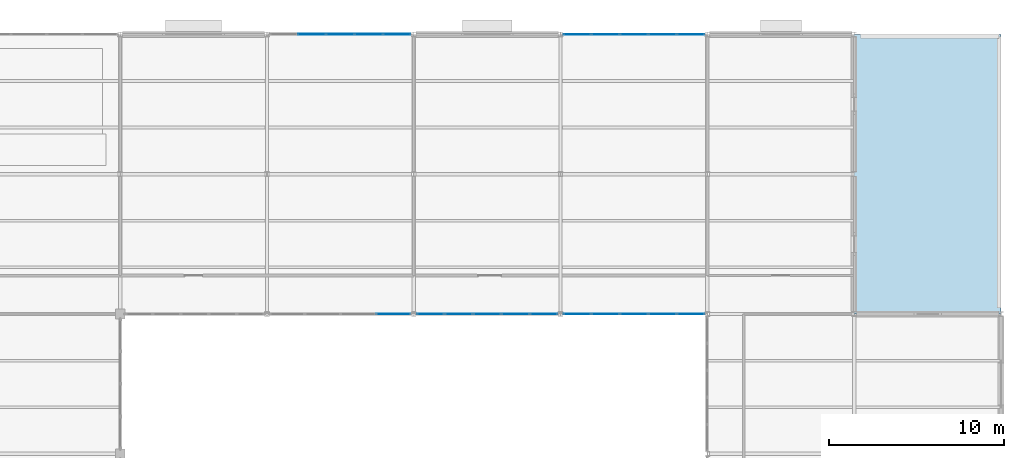
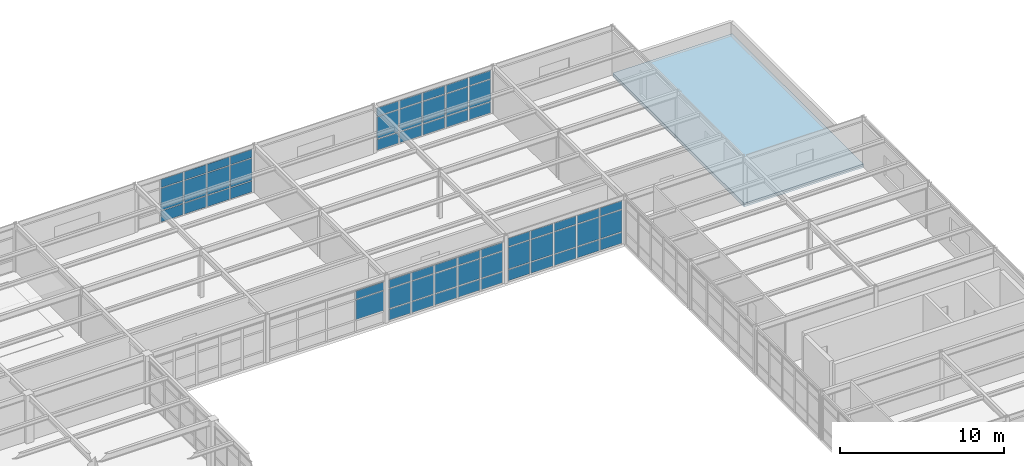
# One storey, part 39 of 53: 59 plates, 1 slab, 5 elements without a shape of their own.
"""IFC4 building model written with IfcOpenShell, lengths in metres."""

from ifc_helpers import new_model, si_unit, direction, frame, origin, origin_2d, place, context, subcontext, project, spatial, polyline, rectangle, outline, extrude, material, layer, layer_set, type_object, element, aggregate, save


model = new_model("IFC4")

# Units and contexts
model_context = context("Model", 3, precision=1e-05, world=origin(), true_north=direction((0.0, 1.0)))
body_context = subcontext(model_context, "Body", "Model", "MODEL_VIEW")
ifc_project = project(units=[si_unit("LENGTHUNIT", "METRE"), si_unit("AREAUNIT", "SQUARE_METRE"), si_unit("VOLUMEUNIT", "CUBIC_METRE"), si_unit("PLANEANGLEUNIT", "RADIAN"), si_unit("MASSUNIT", "GRAM", prefix="KILO")], contexts=[model_context])

# Site, building, storey
site_placement = place(None, origin())
site = spatial("IfcSite", under=ifc_project, at=site_placement, CompositionType="ELEMENT")
building_placement = place(site_placement, origin())
building = spatial("IfcBuilding", under=site, at=building_placement, Name="Kranzveld Transit Interchange", CompositionType="ELEMENT")
storey_placement = place(building_placement, frame((0.0, 0.0, 13.360107421875)))
storey = spatial("IfcBuildingStorey", under=building, at=storey_placement, Name="L03", CompositionType="ELEMENT", Elevation=13.360107421875)

# Curtain wall, plates
ifc_material_1 = material(Name="Bronze-anodised thermally broken aluminium", Category="aluminium")
ifc_layer_1 = layer(ifc_material_1, 0.1650390625)
ifc_layer_set_1 = layer_set([ifc_layer_1], Name="Bronze-anodised thermally broken aluminium")
curtain_wall_type_1 = type_object("IfcCurtainWallType", Name="Sunny Court Arcade Curtain Wall CW-2", PredefinedType="USERDEFINED", material=ifc_layer_set_1)
curtain_wall_1_placement = place(storey_placement, origin())
curtain_wall_1 = element("IfcCurtainWall", 1, at=curtain_wall_1_placement, inside=storey, type_object=curtain_wall_type_1, Name="L03 Curtain Wall 18/N-19/N", ObjectType="CURTAIN WALL", PredefinedType="USERDEFINED")
ifc_material_2 = material(Name="Solar-control double glazing", Category="glass")
ifc_layer_2 = layer(ifc_material_2, 0.02392578125)
ifc_layer_set_2 = layer_set([ifc_layer_2], Name="Solar-control double glazing")
plate_type_1 = type_object("IfcPlateType", Name="Curtain Panel Clear Glazing 24", PredefinedType="CURTAIN_PANEL", material=ifc_layer_set_2)
plate_1_placement = place(storey_placement, frame((143.7587890625, 96.0, 0.059814453125), z_axis=(0.0, 0.0, 1.0), x_axis=(1.0, 0.0, 0.0)))
plate_1 = element("IfcPlate", 2, at=plate_1_placement, type_object=plate_type_1, Name="CW-2 panel 1.1", PredefinedType="CURTAIN_PANEL", context=body_context, shape_type="SweptSolid", body=[
    extrude(rectangle(XDim=1.53125, YDim=0.02392578125, at=origin_2d()), origin(), (0.0, 0.0, 1.0), 0.81005859375),
])
plate_2_placement = place(storey_placement, frame((143.7587890625, 96.0, 0.929931640625), z_axis=(0.0, 0.0, 1.0), x_axis=(1.0, 0.0, 0.0)))
plate_2 = element("IfcPlate", 3, at=plate_2_placement, type_object=plate_type_1, Name="CW-2 panel 1.2", PredefinedType="CURTAIN_PANEL", context=body_context, shape_type="SweptSolid", body=[
    extrude(rectangle(XDim=1.53125, YDim=0.02392578125, at=origin_2d()), origin(), (0.0, 0.0, 1.0), 1.6201171875),
])
plate_3_placement = place(storey_placement, frame((143.7587890625, 96.0, 2.60986328125), z_axis=(0.0, 0.0, 1.0), x_axis=(1.0, 0.0, 0.0)))
plate_3 = element("IfcPlate", 4, at=plate_3_placement, type_object=plate_type_1, Name="CW-2 panel 1.3", PredefinedType="CURTAIN_PANEL", context=body_context, shape_type="SweptSolid", body=[
    extrude(rectangle(XDim=1.53125, YDim=0.02392578125, at=origin_2d()), origin(), (0.0, 0.0, 1.0), 0.610107421875),
])
plate_4_placement = place(storey_placement, frame((145.371337890625, 96.0, 0.059814453125), z_axis=(0.0, 0.0, 1.0), x_axis=(1.0, 0.0, 0.0)))
plate_4 = element("IfcPlate", 5, at=plate_4_placement, type_object=plate_type_1, Name="CW-2 panel 2.1", PredefinedType="CURTAIN_PANEL", context=body_context, shape_type="SweptSolid", body=[
    extrude(rectangle(XDim=1.563720703125, YDim=0.02392578125, at=origin_2d()), origin(), (0.0, 0.0, 1.0), 0.81005859375),
])
plate_5_placement = place(storey_placement, frame((145.371337890625, 96.0, 0.929931640625), z_axis=(0.0, 0.0, 1.0), x_axis=(1.0, 0.0, 0.0)))
plate_5 = element("IfcPlate", 6, at=plate_5_placement, type_object=plate_type_1, Name="CW-2 panel 2.2", PredefinedType="CURTAIN_PANEL", context=body_context, shape_type="SweptSolid", body=[
    extrude(rectangle(XDim=1.563720703125, YDim=0.02392578125, at=origin_2d()), origin(), (0.0, 0.0, 1.0), 1.6201171875),
])
plate_6_placement = place(storey_placement, frame((145.371337890625, 96.0, 2.60986328125), z_axis=(0.0, 0.0, 1.0), x_axis=(1.0, 0.0, 0.0)))
plate_6 = element("IfcPlate", 7, at=plate_6_placement, type_object=plate_type_1, Name="CW-2 panel 2.3", PredefinedType="CURTAIN_PANEL", context=body_context, shape_type="SweptSolid", body=[
    extrude(rectangle(XDim=1.563720703125, YDim=0.02392578125, at=origin_2d()), origin(), (0.0, 0.0, 1.0), 0.610107421875),
])
plate_7_placement = place(storey_placement, frame((147.0, 96.0, 0.059814453125), z_axis=(0.0, 0.0, 1.0), x_axis=(1.0, 0.0, 0.0)))
plate_7 = element("IfcPlate", 8, at=plate_7_placement, type_object=plate_type_1, Name="CW-2 panel 3.1", PredefinedType="CURTAIN_PANEL", context=body_context, shape_type="SweptSolid", body=[
    extrude(rectangle(XDim=1.563720703125, YDim=0.02392578125, at=origin_2d()), origin(), (0.0, 0.0, 1.0), 0.81005859375),
])
plate_8_placement = place(storey_placement, frame((147.0, 96.0, 0.929931640625), z_axis=(0.0, 0.0, 1.0), x_axis=(1.0, 0.0, 0.0)))
plate_8 = element("IfcPlate", 9, at=plate_8_placement, type_object=plate_type_1, Name="CW-2 panel 3.2", PredefinedType="CURTAIN_PANEL", context=body_context, shape_type="SweptSolid", body=[
    extrude(rectangle(XDim=1.563720703125, YDim=0.02392578125, at=origin_2d()), origin(), (0.0, 0.0, 1.0), 1.6201171875),
])
plate_9_placement = place(storey_placement, frame((147.0, 96.0, 2.60986328125), z_axis=(0.0, 0.0, 1.0), x_axis=(1.0, 0.0, 0.0)))
plate_9 = element("IfcPlate", 10, at=plate_9_placement, type_object=plate_type_1, Name="CW-2 panel 3.3", PredefinedType="CURTAIN_PANEL", context=body_context, shape_type="SweptSolid", body=[
    extrude(rectangle(XDim=1.563720703125, YDim=0.02392578125, at=origin_2d()), origin(), (0.0, 0.0, 1.0), 0.610107421875),
])
plate_10_placement = place(storey_placement, frame((148.628662109375, 96.0, 0.059814453125), z_axis=(0.0, 0.0, 1.0), x_axis=(1.0, 0.0, 0.0)))
plate_10 = element("IfcPlate", 11, at=plate_10_placement, type_object=plate_type_1, Name="CW-2 panel 4.1", PredefinedType="CURTAIN_PANEL", context=body_context, shape_type="SweptSolid", body=[
    extrude(rectangle(XDim=1.563720703125, YDim=0.02392578125, at=origin_2d()), origin(), (0.0, 0.0, 1.0), 0.81005859375),
])
plate_11_placement = place(storey_placement, frame((148.628662109375, 96.0, 0.929931640625), z_axis=(0.0, 0.0, 1.0), x_axis=(1.0, 0.0, 0.0)))
plate_11 = element("IfcPlate", 12, at=plate_11_placement, type_object=plate_type_1, Name="CW-2 panel 4.2", PredefinedType="CURTAIN_PANEL", context=body_context, shape_type="SweptSolid", body=[
    extrude(rectangle(XDim=1.563720703125, YDim=0.02392578125, at=origin_2d()), origin(), (0.0, 0.0, 1.0), 1.6201171875),
])
plate_12_placement = place(storey_placement, frame((148.628662109375, 96.0, 2.60986328125), z_axis=(0.0, 0.0, 1.0), x_axis=(1.0, 0.0, 0.0)))
plate_12 = element("IfcPlate", 13, at=plate_12_placement, type_object=plate_type_1, Name="CW-2 panel 4.3", PredefinedType="CURTAIN_PANEL", context=body_context, shape_type="SweptSolid", body=[
    extrude(rectangle(XDim=1.563720703125, YDim=0.02392578125, at=origin_2d()), origin(), (0.0, 0.0, 1.0), 0.610107421875),
])
plate_13_placement = place(storey_placement, frame((150.2412109375, 96.0, 0.059814453125), z_axis=(0.0, 0.0, 1.0), x_axis=(1.0, 0.0, 0.0)))
plate_13 = element("IfcPlate", 14, at=plate_13_placement, type_object=plate_type_1, Name="CW-2 panel 5.1", PredefinedType="CURTAIN_PANEL", context=body_context, shape_type="SweptSolid", body=[
    extrude(rectangle(XDim=1.53125, YDim=0.02392578125, at=origin_2d()), origin(), (0.0, 0.0, 1.0), 0.81005859375),
])
plate_14_placement = place(storey_placement, frame((150.2412109375, 96.0, 0.929931640625), z_axis=(0.0, 0.0, 1.0), x_axis=(1.0, 0.0, 0.0)))
plate_14 = element("IfcPlate", 15, at=plate_14_placement, type_object=plate_type_1, Name="CW-2 panel 5.2", PredefinedType="CURTAIN_PANEL", context=body_context, shape_type="SweptSolid", body=[
    extrude(rectangle(XDim=1.53125, YDim=0.02392578125, at=origin_2d()), origin(), (0.0, 0.0, 1.0), 1.6201171875),
])
plate_15_placement = place(storey_placement, frame((150.2412109375, 96.0, 2.60986328125), z_axis=(0.0, 0.0, 1.0), x_axis=(1.0, 0.0, 0.0)))
plate_15 = element("IfcPlate", 16, at=plate_15_placement, type_object=plate_type_1, Name="CW-2 panel 5.3", PredefinedType="CURTAIN_PANEL", context=body_context, shape_type="SweptSolid", body=[
    extrude(rectangle(XDim=1.53125, YDim=0.02392578125, at=origin_2d()), origin(), (0.0, 0.0, 1.0), 0.610107421875),
])
aggregate(curtain_wall_1, [plate_1, plate_2, plate_3, plate_4, plate_5, plate_6, plate_7, plate_8, plate_9, plate_10, plate_11, plate_12, plate_13, plate_14, plate_15])

ifc_material_3 = material(Name="Bronze-anodised thermally broken aluminium", Category="aluminium")
ifc_layer_3 = layer(ifc_material_3, 0.179931640625)
ifc_layer_set_3 = layer_set([ifc_layer_3], Name="Bronze-anodised thermally broken aluminium")
curtain_wall_type_2 = type_object("IfcCurtainWallType", Name="Concourse Unitised Curtain Wall CW-1", PredefinedType="USERDEFINED", material=ifc_layer_set_3)
curtain_wall_2_placement = place(storey_placement, origin())
curtain_wall_2 = element("IfcCurtainWall", 17, at=curtain_wall_2_placement, inside=storey, type_object=curtain_wall_type_2, Name="L03 Curtain Wall 17/N-18/N", ObjectType="CURTAIN WALL", PredefinedType="USERDEFINED")
ifc_material_4 = material(Name="Solar-control double glazing", Category="glass")
ifc_layer_4 = layer(ifc_material_4, 0.028076171875)
ifc_layer_set_4 = layer_set([ifc_layer_4], Name="Solar-control double glazing")
plate_type_2 = type_object("IfcPlateType", Name="Curtain Panel Double Glazing 28", PredefinedType="CURTAIN_PANEL", material=ifc_layer_set_4)
plate_16_placement = place(storey_placement, frame((135.358642578125, 96.0, 0.06494140625), z_axis=(0.0, 0.0, 1.0), x_axis=(1.0, 0.0, 0.0)))
plate_16 = element("IfcPlate", 18, at=plate_16_placement, type_object=plate_type_2, Name="CW-1 panel 1.1", PredefinedType="CURTAIN_PANEL", context=body_context, shape_type="SweptSolid", body=[
    extrude(rectangle(XDim=1.53125, YDim=0.028076171875, at=origin_2d()), origin(), (0.0, 0.0, 1.0), 0.802490234375),
])
plate_17_placement = place(storey_placement, frame((135.358642578125, 96.0, 0.932373046875), z_axis=(0.0, 0.0, 1.0), x_axis=(1.0, 0.0, 0.0)))
plate_17 = element("IfcPlate", 19, at=plate_17_placement, type_object=plate_type_2, Name="CW-1 panel 1.2", PredefinedType="CURTAIN_PANEL", context=body_context, shape_type="SweptSolid", body=[
    extrude(rectangle(XDim=1.53125, YDim=0.028076171875, at=origin_2d()), origin(), (0.0, 0.0, 1.0), 1.4580078125),
])
plate_18_placement = place(storey_placement, frame((135.358642578125, 96.0, 2.455322265625), z_axis=(0.0, 0.0, 1.0), x_axis=(1.0, 0.0, 0.0)))
plate_18 = element("IfcPlate", 20, at=plate_18_placement, type_object=plate_type_2, Name="CW-1 panel 1.3", PredefinedType="CURTAIN_PANEL", context=body_context, shape_type="SweptSolid", body=[
    extrude(rectangle(XDim=1.53125, YDim=0.028076171875, at=origin_2d()), origin(), (0.0, 0.0, 1.0), 0.6025390625),
])
plate_19_placement = place(storey_placement, frame((136.97119140625, 96.0, 0.06494140625), z_axis=(0.0, 0.0, 1.0), x_axis=(1.0, 0.0, 0.0)))
plate_19 = element("IfcPlate", 21, at=plate_19_placement, type_object=plate_type_2, Name="CW-1 panel 2.1", PredefinedType="CURTAIN_PANEL", context=body_context, shape_type="SweptSolid", body=[
    extrude(rectangle(XDim=1.563720703125, YDim=0.028076171875, at=origin_2d()), origin(), (0.0, 0.0, 1.0), 0.802490234375),
])
plate_20_placement = place(storey_placement, frame((136.97119140625, 96.0, 0.932373046875), z_axis=(0.0, 0.0, 1.0), x_axis=(1.0, 0.0, 0.0)))
plate_20 = element("IfcPlate", 22, at=plate_20_placement, type_object=plate_type_2, Name="CW-1 panel 2.2", PredefinedType="CURTAIN_PANEL", context=body_context, shape_type="SweptSolid", body=[
    extrude(rectangle(XDim=1.563720703125, YDim=0.028076171875, at=origin_2d()), origin(), (0.0, 0.0, 1.0), 1.4580078125),
])
plate_21_placement = place(storey_placement, frame((136.97119140625, 96.0, 2.455322265625), z_axis=(0.0, 0.0, 1.0), x_axis=(1.0, 0.0, 0.0)))
plate_21 = element("IfcPlate", 23, at=plate_21_placement, type_object=plate_type_2, Name="CW-1 panel 2.3", PredefinedType="CURTAIN_PANEL", context=body_context, shape_type="SweptSolid", body=[
    extrude(rectangle(XDim=1.563720703125, YDim=0.028076171875, at=origin_2d()), origin(), (0.0, 0.0, 1.0), 0.6025390625),
])
plate_22_placement = place(storey_placement, frame((138.60009765625, 96.0, 0.06494140625), z_axis=(0.0, 0.0, 1.0), x_axis=(1.0, 0.0, 0.0)))
plate_22 = element("IfcPlate", 24, at=plate_22_placement, type_object=plate_type_2, Name="CW-1 panel 3.1", PredefinedType="CURTAIN_PANEL", context=body_context, shape_type="SweptSolid", body=[
    extrude(rectangle(XDim=1.563720703125, YDim=0.028076171875, at=origin_2d()), origin(), (0.0, 0.0, 1.0), 0.802490234375),
])
plate_23_placement = place(storey_placement, frame((138.60009765625, 96.0, 0.932373046875), z_axis=(0.0, 0.0, 1.0), x_axis=(1.0, 0.0, 0.0)))
plate_23 = element("IfcPlate", 25, at=plate_23_placement, type_object=plate_type_2, Name="CW-1 panel 3.2", PredefinedType="CURTAIN_PANEL", context=body_context, shape_type="SweptSolid", body=[
    extrude(rectangle(XDim=1.563720703125, YDim=0.028076171875, at=origin_2d()), origin(), (0.0, 0.0, 1.0), 1.4580078125),
])
plate_24_placement = place(storey_placement, frame((138.60009765625, 96.0, 2.455322265625), z_axis=(0.0, 0.0, 1.0), x_axis=(1.0, 0.0, 0.0)))
plate_24 = element("IfcPlate", 26, at=plate_24_placement, type_object=plate_type_2, Name="CW-1 panel 3.3", PredefinedType="CURTAIN_PANEL", context=body_context, shape_type="SweptSolid", body=[
    extrude(rectangle(XDim=1.563720703125, YDim=0.028076171875, at=origin_2d()), origin(), (0.0, 0.0, 1.0), 0.6025390625),
])
plate_25_placement = place(storey_placement, frame((140.228759765625, 96.0, 0.06494140625), z_axis=(0.0, 0.0, 1.0), x_axis=(1.0, 0.0, 0.0)))
plate_25 = element("IfcPlate", 27, at=plate_25_placement, type_object=plate_type_2, Name="CW-1 panel 4.1", PredefinedType="CURTAIN_PANEL", context=body_context, shape_type="SweptSolid", body=[
    extrude(rectangle(XDim=1.563720703125, YDim=0.028076171875, at=origin_2d()), origin(), (0.0, 0.0, 1.0), 0.802490234375),
])
plate_26_placement = place(storey_placement, frame((140.228759765625, 96.0, 0.932373046875), z_axis=(0.0, 0.0, 1.0), x_axis=(1.0, 0.0, 0.0)))
plate_26 = element("IfcPlate", 28, at=plate_26_placement, type_object=plate_type_2, Name="CW-1 panel 4.2", PredefinedType="CURTAIN_PANEL", context=body_context, shape_type="SweptSolid", body=[
    extrude(rectangle(XDim=1.563720703125, YDim=0.028076171875, at=origin_2d()), origin(), (0.0, 0.0, 1.0), 1.4580078125),
])
plate_27_placement = place(storey_placement, frame((140.228759765625, 96.0, 2.455322265625), z_axis=(0.0, 0.0, 1.0), x_axis=(1.0, 0.0, 0.0)))
plate_27 = element("IfcPlate", 29, at=plate_27_placement, type_object=plate_type_2, Name="CW-1 panel 4.3", PredefinedType="CURTAIN_PANEL", context=body_context, shape_type="SweptSolid", body=[
    extrude(rectangle(XDim=1.563720703125, YDim=0.028076171875, at=origin_2d()), origin(), (0.0, 0.0, 1.0), 0.6025390625),
])
plate_28_placement = place(storey_placement, frame((141.84130859375, 96.0, 0.06494140625), z_axis=(0.0, 0.0, 1.0), x_axis=(1.0, 0.0, 0.0)))
plate_28 = element("IfcPlate", 30, at=plate_28_placement, type_object=plate_type_2, Name="CW-1 panel 5.1", PredefinedType="CURTAIN_PANEL", context=body_context, shape_type="SweptSolid", body=[
    extrude(rectangle(XDim=1.53125, YDim=0.028076171875, at=origin_2d()), origin(), (0.0, 0.0, 1.0), 0.802490234375),
])
plate_29_placement = place(storey_placement, frame((141.84130859375, 96.0, 0.932373046875), z_axis=(0.0, 0.0, 1.0), x_axis=(1.0, 0.0, 0.0)))
plate_29 = element("IfcPlate", 31, at=plate_29_placement, type_object=plate_type_2, Name="CW-1 panel 5.2", PredefinedType="CURTAIN_PANEL", context=body_context, shape_type="SweptSolid", body=[
    extrude(rectangle(XDim=1.53125, YDim=0.028076171875, at=origin_2d()), origin(), (0.0, 0.0, 1.0), 1.4580078125),
])
plate_30_placement = place(storey_placement, frame((141.84130859375, 96.0, 2.455322265625), z_axis=(0.0, 0.0, 1.0), x_axis=(1.0, 0.0, 0.0)))
plate_30 = element("IfcPlate", 32, at=plate_30_placement, type_object=plate_type_2, Name="CW-1 panel 5.3", PredefinedType="CURTAIN_PANEL", context=body_context, shape_type="SweptSolid", body=[
    extrude(rectangle(XDim=1.53125, YDim=0.028076171875, at=origin_2d()), origin(), (0.0, 0.0, 1.0), 0.6025390625),
])
aggregate(curtain_wall_2, [plate_16, plate_17, plate_18, plate_19, plate_20, plate_21, plate_22, plate_23, plate_24, plate_25, plate_26, plate_27, plate_28, plate_29, plate_30])

ifc_material_5 = material(Name="Bronze-anodised thermally broken aluminium", Category="aluminium")
ifc_layer_5 = layer(ifc_material_5, 0.14990234375)
ifc_layer_set_5 = layer_set([ifc_layer_5], Name="Bronze-anodised thermally broken aluminium")
curtain_wall_type_3 = type_object("IfcCurtainWallType", Name="Public Passage Clerestory Screen CW-4", PredefinedType="USERDEFINED", material=ifc_layer_set_5)
curtain_wall_3_placement = place(storey_placement, origin())
curtain_wall_3 = element("IfcCurtainWall", 33, at=curtain_wall_3_placement, inside=storey, type_object=curtain_wall_type_3, Name="L03 Curtain Wall 16/Q-17/Q", ObjectType="CURTAIN WALL", PredefinedType="USERDEFINED")
ifc_material_6 = material(Name="Solar-control double glazing", Category="glass")
ifc_layer_6 = layer(ifc_material_6, 0.0419921875)
ifc_layer_set_6 = layer_set([ifc_layer_6], Name="Solar-control double glazing")
plate_type_3 = type_object("IfcPlateType", Name="Curtain Panel Laminated Glazing 42", PredefinedType="CURTAIN_PANEL", material=ifc_layer_set_6)
plate_31_placement = place(storey_placement, frame((128.5712890625, 112.0, 0.059814453125), z_axis=(0.0, 0.0, 1.0), x_axis=(1.0, 0.0, 0.0)))
plate_31 = element("IfcPlate", 34, at=plate_31_placement, type_object=plate_type_3, Name="CW-4 panel 2.1", PredefinedType="CURTAIN_PANEL", context=body_context, shape_type="SweptSolid", body=[
    extrude(rectangle(XDim=1.56884765625, YDim=0.0419921875, at=origin_2d()), origin(), (0.0, 0.0, 1.0), 0.81005859375),
])
plate_32_placement = place(storey_placement, frame((128.5712890625, 112.0, 0.929931640625), z_axis=(0.0, 0.0, 1.0), x_axis=(1.0, 0.0, 0.0)))
plate_32 = element("IfcPlate", 35, at=plate_32_placement, type_object=plate_type_3, Name="CW-4 panel 2.2", PredefinedType="CURTAIN_PANEL", context=body_context, shape_type="SweptSolid", body=[
    extrude(rectangle(XDim=1.56884765625, YDim=0.0419921875, at=origin_2d()), origin(), (0.0, 0.0, 1.0), 1.6201171875),
])
plate_33_placement = place(storey_placement, frame((128.5712890625, 112.0, 2.60986328125), z_axis=(0.0, 0.0, 1.0), x_axis=(1.0, 0.0, 0.0)))
plate_33 = element("IfcPlate", 36, at=plate_33_placement, type_object=plate_type_3, Name="CW-4 panel 2.3", PredefinedType="CURTAIN_PANEL", context=body_context, shape_type="SweptSolid", body=[
    extrude(rectangle(XDim=1.56884765625, YDim=0.0419921875, at=origin_2d()), origin(), (0.0, 0.0, 1.0), 0.610107421875),
])
plate_34_placement = place(storey_placement, frame((130.199951171875, 112.0, 0.059814453125), z_axis=(0.0, 0.0, 1.0), x_axis=(1.0, 0.0, 0.0)))
plate_34 = element("IfcPlate", 37, at=plate_34_placement, type_object=plate_type_3, Name="CW-4 panel 3.1", PredefinedType="CURTAIN_PANEL", context=body_context, shape_type="SweptSolid", body=[
    extrude(rectangle(XDim=1.56884765625, YDim=0.0419921875, at=origin_2d()), origin(), (0.0, 0.0, 1.0), 0.81005859375),
])
plate_35_placement = place(storey_placement, frame((130.199951171875, 112.0, 0.929931640625), z_axis=(0.0, 0.0, 1.0), x_axis=(1.0, 0.0, 0.0)))
plate_35 = element("IfcPlate", 38, at=plate_35_placement, type_object=plate_type_3, Name="CW-4 panel 3.2", PredefinedType="CURTAIN_PANEL", context=body_context, shape_type="SweptSolid", body=[
    extrude(rectangle(XDim=1.56884765625, YDim=0.0419921875, at=origin_2d()), origin(), (0.0, 0.0, 1.0), 1.6201171875),
])
plate_36_placement = place(storey_placement, frame((130.199951171875, 112.0, 2.60986328125), z_axis=(0.0, 0.0, 1.0), x_axis=(1.0, 0.0, 0.0)))
plate_36 = element("IfcPlate", 39, at=plate_36_placement, type_object=plate_type_3, Name="CW-4 panel 3.3", PredefinedType="CURTAIN_PANEL", context=body_context, shape_type="SweptSolid", body=[
    extrude(rectangle(XDim=1.56884765625, YDim=0.0419921875, at=origin_2d()), origin(), (0.0, 0.0, 1.0), 0.610107421875),
])
plate_37_placement = place(storey_placement, frame((131.828857421875, 112.0, 0.059814453125), z_axis=(0.0, 0.0, 1.0), x_axis=(1.0, 0.0, 0.0)))
plate_37 = element("IfcPlate", 40, at=plate_37_placement, type_object=plate_type_3, Name="CW-4 panel 4.1", PredefinedType="CURTAIN_PANEL", context=body_context, shape_type="SweptSolid", body=[
    extrude(rectangle(XDim=1.56884765625, YDim=0.0419921875, at=origin_2d()), origin(), (0.0, 0.0, 1.0), 0.81005859375),
])
plate_38_placement = place(storey_placement, frame((131.828857421875, 112.0, 0.929931640625), z_axis=(0.0, 0.0, 1.0), x_axis=(1.0, 0.0, 0.0)))
plate_38 = element("IfcPlate", 41, at=plate_38_placement, type_object=plate_type_3, Name="CW-4 panel 4.2", PredefinedType="CURTAIN_PANEL", context=body_context, shape_type="SweptSolid", body=[
    extrude(rectangle(XDim=1.56884765625, YDim=0.0419921875, at=origin_2d()), origin(), (0.0, 0.0, 1.0), 1.6201171875),
])
plate_39_placement = place(storey_placement, frame((131.828857421875, 112.0, 2.60986328125), z_axis=(0.0, 0.0, 1.0), x_axis=(1.0, 0.0, 0.0)))
plate_39 = element("IfcPlate", 42, at=plate_39_placement, type_object=plate_type_3, Name="CW-4 panel 4.3", PredefinedType="CURTAIN_PANEL", context=body_context, shape_type="SweptSolid", body=[
    extrude(rectangle(XDim=1.56884765625, YDim=0.0419921875, at=origin_2d()), origin(), (0.0, 0.0, 1.0), 0.610107421875),
])
plate_40_placement = place(storey_placement, frame((133.442626953125, 112.0, 0.059814453125), z_axis=(0.0, 0.0, 1.0), x_axis=(1.0, 0.0, 0.0)))
plate_40 = element("IfcPlate", 43, at=plate_40_placement, type_object=plate_type_3, Name="CW-4 panel 5.1", PredefinedType="CURTAIN_PANEL", context=body_context, shape_type="SweptSolid", body=[
    extrude(rectangle(XDim=1.538818359375, YDim=0.0419921875, at=origin_2d()), origin(), (0.0, 0.0, 1.0), 0.81005859375),
])
plate_41_placement = place(storey_placement, frame((133.442626953125, 112.0, 0.929931640625), z_axis=(0.0, 0.0, 1.0), x_axis=(1.0, 0.0, 0.0)))
plate_41 = element("IfcPlate", 44, at=plate_41_placement, type_object=plate_type_3, Name="CW-4 panel 5.2", PredefinedType="CURTAIN_PANEL", context=body_context, shape_type="SweptSolid", body=[
    extrude(rectangle(XDim=1.538818359375, YDim=0.0419921875, at=origin_2d()), origin(), (0.0, 0.0, 1.0), 1.6201171875),
])
plate_42_placement = place(storey_placement, frame((133.442626953125, 112.0, 2.60986328125), z_axis=(0.0, 0.0, 1.0), x_axis=(1.0, 0.0, 0.0)))
plate_42 = element("IfcPlate", 45, at=plate_42_placement, type_object=plate_type_3, Name="CW-4 panel 5.3", PredefinedType="CURTAIN_PANEL", context=body_context, shape_type="SweptSolid", body=[
    extrude(rectangle(XDim=1.538818359375, YDim=0.0419921875, at=origin_2d()), origin(), (0.0, 0.0, 1.0), 0.610107421875),
])
aggregate(curtain_wall_3, [plate_31, plate_32, plate_33, plate_34, plate_35, plate_36, plate_37, plate_38, plate_39, plate_40, plate_41, plate_42])

ifc_material_7 = material(Name="Bronze-anodised thermally broken aluminium", Category="aluminium")
ifc_layer_7 = layer(ifc_material_7, 0.18505859375)
ifc_layer_set_7 = layer_set([ifc_layer_7], Name="Bronze-anodised thermally broken aluminium")
curtain_wall_type_4 = type_object("IfcCurtainWallType", Name="Control Crown Observation Facade CW-5", PredefinedType="USERDEFINED", material=ifc_layer_set_7)
curtain_wall_4_placement = place(storey_placement, origin())
curtain_wall_4 = element("IfcCurtainWall", 46, at=curtain_wall_4_placement, inside=storey, type_object=curtain_wall_type_4, Name="L03 Curtain Wall 18/Q-19/Q", ObjectType="CURTAIN WALL", PredefinedType="USERDEFINED")
ifc_material_8 = material(Name="Solar-control double glazing", Category="glass")
ifc_layer_8 = layer(ifc_material_8, 0.035888671875)
ifc_layer_set_8 = layer_set([ifc_layer_8], Name="Solar-control double glazing")
plate_type_4 = type_object("IfcPlateType", Name="Curtain Panel Triple Glazing 36", PredefinedType="CURTAIN_PANEL", material=ifc_layer_set_8)
plate_43_placement = place(storey_placement, frame((143.7587890625, 112.0, 0.06494140625), z_axis=(0.0, 0.0, 1.0), x_axis=(1.0, 0.0, 0.0)))
plate_43 = element("IfcPlate", 47, at=plate_43_placement, type_object=plate_type_4, Name="CW-5 panel 1.1", PredefinedType="CURTAIN_PANEL", context=body_context, shape_type="SweptSolid", body=[
    extrude(rectangle(XDim=1.53125, YDim=0.035888671875, at=origin_2d()), origin(), (0.0, 0.0, 1.0), 0.802490234375),
])
plate_44_placement = place(storey_placement, frame((143.7587890625, 112.0, 0.9326171875), z_axis=(0.0, 0.0, 1.0), x_axis=(1.0, 0.0, 0.0)))
plate_44 = element("IfcPlate", 48, at=plate_44_placement, type_object=plate_type_4, Name="CW-5 panel 1.2", PredefinedType="CURTAIN_PANEL", context=body_context, shape_type="SweptSolid", body=[
    extrude(rectangle(XDim=1.53125, YDim=0.035888671875, at=origin_2d()), origin(), (0.0, 0.0, 1.0), 1.614990234375),
])
plate_45_placement = place(storey_placement, frame((143.7587890625, 112.0, 2.6123046875), z_axis=(0.0, 0.0, 1.0), x_axis=(1.0, 0.0, 0.0)))
plate_45 = element("IfcPlate", 49, at=plate_45_placement, type_object=plate_type_4, Name="CW-5 panel 1.3", PredefinedType="CURTAIN_PANEL", context=body_context, shape_type="SweptSolid", body=[
    extrude(rectangle(XDim=1.53125, YDim=0.035888671875, at=origin_2d()), origin(), (0.0, 0.0, 1.0), 0.6025390625),
])
plate_46_placement = place(storey_placement, frame((145.371337890625, 112.0, 0.06494140625), z_axis=(0.0, 0.0, 1.0), x_axis=(1.0, 0.0, 0.0)))
plate_46 = element("IfcPlate", 50, at=plate_46_placement, type_object=plate_type_4, Name="CW-5 panel 2.1", PredefinedType="CURTAIN_PANEL", context=body_context, shape_type="SweptSolid", body=[
    extrude(rectangle(XDim=1.563720703125, YDim=0.035888671875, at=origin_2d()), origin(), (0.0, 0.0, 1.0), 0.802490234375),
])
plate_47_placement = place(storey_placement, frame((145.371337890625, 112.0, 0.9326171875), z_axis=(0.0, 0.0, 1.0), x_axis=(1.0, 0.0, 0.0)))
plate_47 = element("IfcPlate", 51, at=plate_47_placement, type_object=plate_type_4, Name="CW-5 panel 2.2", PredefinedType="CURTAIN_PANEL", context=body_context, shape_type="SweptSolid", body=[
    extrude(rectangle(XDim=1.563720703125, YDim=0.035888671875, at=origin_2d()), origin(), (0.0, 0.0, 1.0), 1.614990234375),
])
plate_48_placement = place(storey_placement, frame((145.371337890625, 112.0, 2.6123046875), z_axis=(0.0, 0.0, 1.0), x_axis=(1.0, 0.0, 0.0)))
plate_48 = element("IfcPlate", 52, at=plate_48_placement, type_object=plate_type_4, Name="CW-5 panel 2.3", PredefinedType="CURTAIN_PANEL", context=body_context, shape_type="SweptSolid", body=[
    extrude(rectangle(XDim=1.563720703125, YDim=0.035888671875, at=origin_2d()), origin(), (0.0, 0.0, 1.0), 0.6025390625),
])
plate_49_placement = place(storey_placement, frame((147.0, 112.0, 0.06494140625), z_axis=(0.0, 0.0, 1.0), x_axis=(1.0, 0.0, 0.0)))
plate_49 = element("IfcPlate", 53, at=plate_49_placement, type_object=plate_type_4, Name="CW-5 panel 3.1", PredefinedType="CURTAIN_PANEL", context=body_context, shape_type="SweptSolid", body=[
    extrude(rectangle(XDim=1.563720703125, YDim=0.035888671875, at=origin_2d()), origin(), (0.0, 0.0, 1.0), 0.802490234375),
])
plate_50_placement = place(storey_placement, frame((147.0, 112.0, 0.9326171875), z_axis=(0.0, 0.0, 1.0), x_axis=(1.0, 0.0, 0.0)))
plate_50 = element("IfcPlate", 54, at=plate_50_placement, type_object=plate_type_4, Name="CW-5 panel 3.2", PredefinedType="CURTAIN_PANEL", context=body_context, shape_type="SweptSolid", body=[
    extrude(rectangle(XDim=1.563720703125, YDim=0.035888671875, at=origin_2d()), origin(), (0.0, 0.0, 1.0), 1.614990234375),
])
plate_51_placement = place(storey_placement, frame((147.0, 112.0, 2.6123046875), z_axis=(0.0, 0.0, 1.0), x_axis=(1.0, 0.0, 0.0)))
plate_51 = element("IfcPlate", 55, at=plate_51_placement, type_object=plate_type_4, Name="CW-5 panel 3.3", PredefinedType="CURTAIN_PANEL", context=body_context, shape_type="SweptSolid", body=[
    extrude(rectangle(XDim=1.563720703125, YDim=0.035888671875, at=origin_2d()), origin(), (0.0, 0.0, 1.0), 0.6025390625),
])
plate_52_placement = place(storey_placement, frame((148.628662109375, 112.0, 0.06494140625), z_axis=(0.0, 0.0, 1.0), x_axis=(1.0, 0.0, 0.0)))
plate_52 = element("IfcPlate", 56, at=plate_52_placement, type_object=plate_type_4, Name="CW-5 panel 4.1", PredefinedType="CURTAIN_PANEL", context=body_context, shape_type="SweptSolid", body=[
    extrude(rectangle(XDim=1.563720703125, YDim=0.035888671875, at=origin_2d()), origin(), (0.0, 0.0, 1.0), 0.802490234375),
])
plate_53_placement = place(storey_placement, frame((148.628662109375, 112.0, 0.9326171875), z_axis=(0.0, 0.0, 1.0), x_axis=(1.0, 0.0, 0.0)))
plate_53 = element("IfcPlate", 57, at=plate_53_placement, type_object=plate_type_4, Name="CW-5 panel 4.2", PredefinedType="CURTAIN_PANEL", context=body_context, shape_type="SweptSolid", body=[
    extrude(rectangle(XDim=1.563720703125, YDim=0.035888671875, at=origin_2d()), origin(), (0.0, 0.0, 1.0), 1.614990234375),
])
plate_54_placement = place(storey_placement, frame((148.628662109375, 112.0, 2.6123046875), z_axis=(0.0, 0.0, 1.0), x_axis=(1.0, 0.0, 0.0)))
plate_54 = element("IfcPlate", 58, at=plate_54_placement, type_object=plate_type_4, Name="CW-5 panel 4.3", PredefinedType="CURTAIN_PANEL", context=body_context, shape_type="SweptSolid", body=[
    extrude(rectangle(XDim=1.563720703125, YDim=0.035888671875, at=origin_2d()), origin(), (0.0, 0.0, 1.0), 0.6025390625),
])
plate_55_placement = place(storey_placement, frame((150.2412109375, 112.0, 0.06494140625), z_axis=(0.0, 0.0, 1.0), x_axis=(1.0, 0.0, 0.0)))
plate_55 = element("IfcPlate", 59, at=plate_55_placement, type_object=plate_type_4, Name="CW-5 panel 5.1", PredefinedType="CURTAIN_PANEL", context=body_context, shape_type="SweptSolid", body=[
    extrude(rectangle(XDim=1.53125, YDim=0.035888671875, at=origin_2d()), origin(), (0.0, 0.0, 1.0), 0.802490234375),
])
plate_56_placement = place(storey_placement, frame((150.2412109375, 112.0, 0.9326171875), z_axis=(0.0, 0.0, 1.0), x_axis=(1.0, 0.0, 0.0)))
plate_56 = element("IfcPlate", 60, at=plate_56_placement, type_object=plate_type_4, Name="CW-5 panel 5.2", PredefinedType="CURTAIN_PANEL", context=body_context, shape_type="SweptSolid", body=[
    extrude(rectangle(XDim=1.53125, YDim=0.035888671875, at=origin_2d()), origin(), (0.0, 0.0, 1.0), 1.614990234375),
])
plate_57_placement = place(storey_placement, frame((150.2412109375, 112.0, 2.6123046875), z_axis=(0.0, 0.0, 1.0), x_axis=(1.0, 0.0, 0.0)))
plate_57 = element("IfcPlate", 61, at=plate_57_placement, type_object=plate_type_4, Name="CW-5 panel 5.3", PredefinedType="CURTAIN_PANEL", context=body_context, shape_type="SweptSolid", body=[
    extrude(rectangle(XDim=1.53125, YDim=0.035888671875, at=origin_2d()), origin(), (0.0, 0.0, 1.0), 0.6025390625),
])
aggregate(curtain_wall_4, [plate_43, plate_44, plate_45, plate_46, plate_47, plate_48, plate_49, plate_50, plate_51, plate_52, plate_53, plate_54, plate_55, plate_56, plate_57])

ifc_material_9 = material(Name="Bronze-anodised thermally broken aluminium", Category="aluminium")
ifc_layer_9 = layer(ifc_material_9, 0.159912109375)
ifc_layer_set_9 = layer_set([ifc_layer_9], Name="Bronze-anodised thermally broken aluminium")
curtain_wall_type_5 = type_object("IfcCurtainWallType", Name="Bus Boarding Glazed Screen CW-3", PredefinedType="USERDEFINED", material=ifc_layer_set_9)
curtain_wall_5_placement = place(storey_placement, origin())
curtain_wall_5 = element("IfcCurtainWall", 62, at=curtain_wall_5_placement, inside=storey, type_object=curtain_wall_type_5, Name="L03 Curtain Wall 16/N-17/N", ObjectType="CURTAIN WALL", PredefinedType="USERDEFINED")
ifc_material_10 = material(Name="Bronze-anodised thermally broken aluminium", Category="aluminium")
ifc_layer_10 = layer(ifc_material_10, 0.053955078125)
ifc_layer_set_10 = layer_set([ifc_layer_10], Name="Bronze-anodised thermally broken aluminium")
plate_type_5 = type_object("IfcPlateType", Name="Curtain Spandrel Insulated Alu 54", PredefinedType="CURTAIN_PANEL", material=ifc_layer_set_10)
plate_58_placement = place(storey_placement, frame((133.239013671875, 96.0, 0.932373046875), z_axis=(0.0, 0.0, 1.0), x_axis=(1.0, 0.0, 0.0)))
plate_58 = element("IfcPlate", 63, at=plate_58_placement, type_object=plate_type_5, Name="CW-3 panel 4.2", PredefinedType="CURTAIN_PANEL", context=body_context, shape_type="SweptSolid", body=[
    extrude(rectangle(XDim=1.946044921875, YDim=0.053955078125, at=origin_2d()), origin(), (0.0, 0.0, 1.0), 1.4580078125),
])
plate_59_placement = place(storey_placement, frame((133.239013671875, 96.0, 2.455322265625), z_axis=(0.0, 0.0, 1.0), x_axis=(1.0, 0.0, 0.0)))
plate_59 = element("IfcPlate", 64, at=plate_59_placement, type_object=plate_type_5, Name="CW-3 panel 4.3", PredefinedType="CURTAIN_PANEL", context=body_context, shape_type="SweptSolid", body=[
    extrude(rectangle(XDim=1.946044921875, YDim=0.053955078125, at=origin_2d()), origin(), (0.0, 0.0, 1.0), 0.6025390625),
])
aggregate(curtain_wall_5, [plate_58, plate_59])

# Slab
ifc_material_11 = material(Name="Concrete C35/45", Category="concrete")
ifc_layer_11 = layer(ifc_material_11, 0.27001953125)
ifc_layer_set_11 = layer_set([ifc_layer_11], Name="Concrete C35/45")
slab_type = type_object("IfcSlabType", Name="Mid-Rise Roof Slab 270 C35/45", PredefinedType="ROOF", material=ifc_layer_set_11)
slab_placement = place(storey_placement, frame((0.0, 0.0, -0.27001953125)))
element("IfcSlab", 65, at=slab_placement, inside=storey, type_object=slab_type, Name="L03 Flat Roof Slab 3", PredefinedType="ROOF", context=body_context, shape_type="SweptSolid", body=[
    extrude(outline(polyline([(168.0, 96.0), (159.60009765625, 96.0), (159.60009765625, 112.0), (168.0, 112.0), (168.0, 96.0)])), origin(), (0.0, 0.0, 1.0), 0.27001953125),
])

save(model, "model.ifc")
